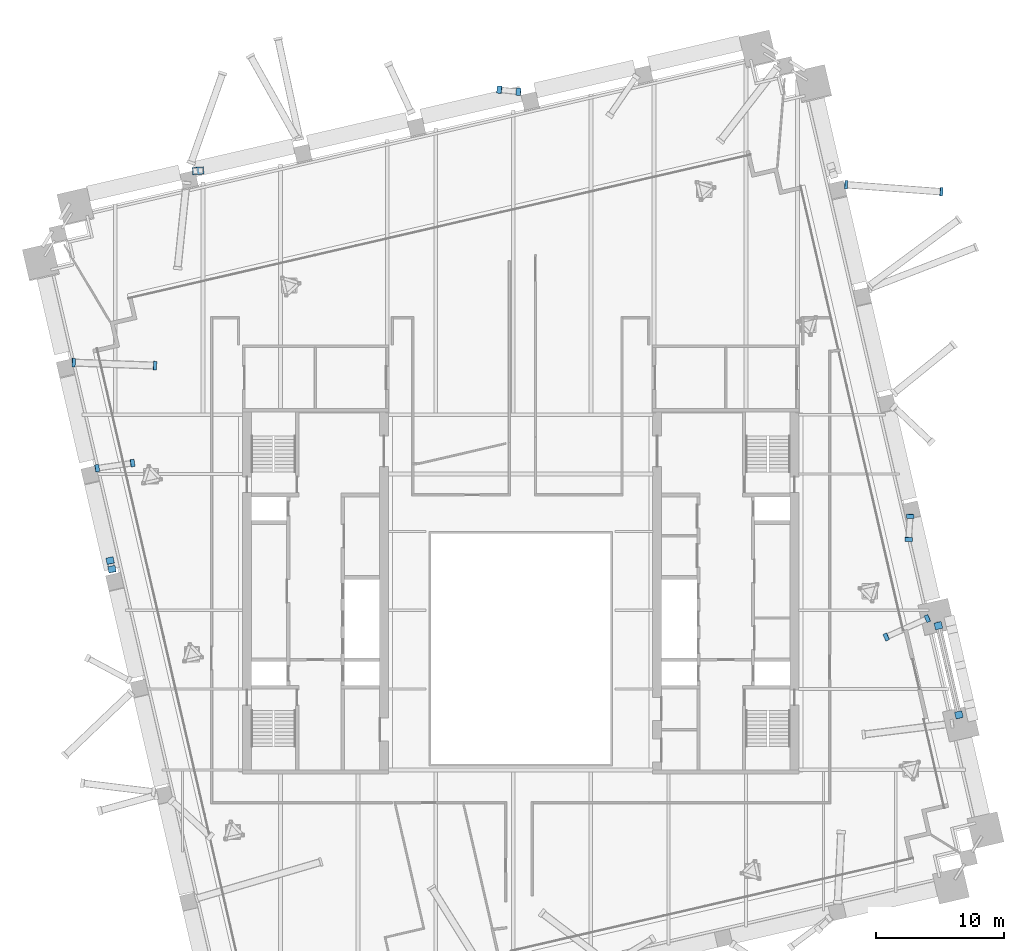
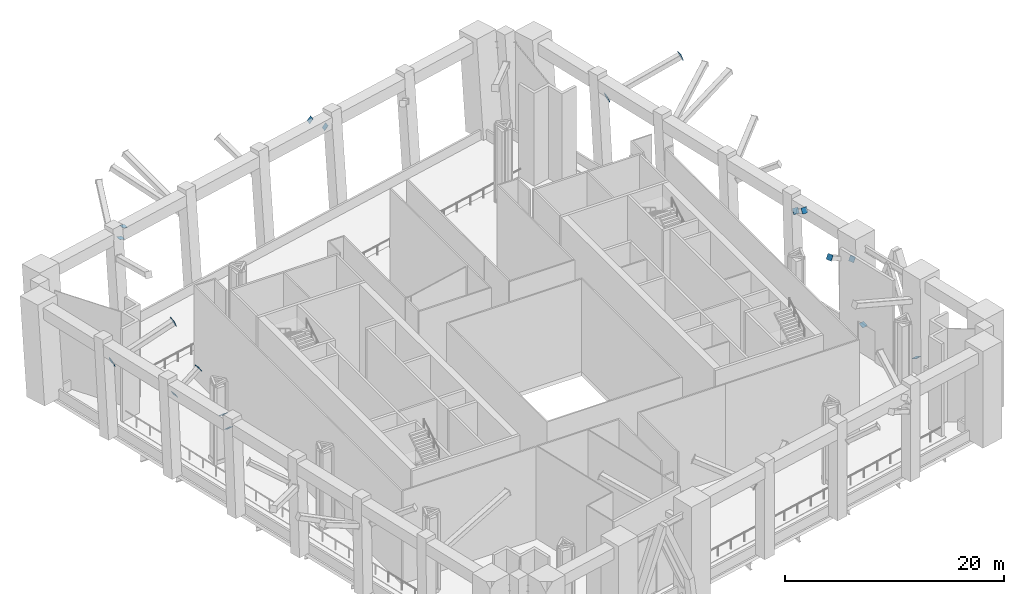
# One storey, part 23 of 25: 18 discrete accessories.
"""IFC4 building model written with IfcOpenShell, lengths in metres."""

from ifc_helpers import new_model, si_unit, direction, frame, origin, origin_2d, place, context, subcontext, project, spatial, rectangle, extrude, material, material_profile, profile_set, type_object, element, save


model = new_model("IFC4")

# Units and contexts
model_context = context("Model", 3, precision=1e-05, world=origin(), true_north=direction((0.0, 1.0)))
body_context = subcontext(model_context, "Body", "Model", "MODEL_VIEW")
ifc_project = project(units=[si_unit("LENGTHUNIT", "METRE"), si_unit("AREAUNIT", "SQUARE_METRE"), si_unit("VOLUMEUNIT", "CUBIC_METRE"), si_unit("PLANEANGLEUNIT", "RADIAN"), si_unit("MASSUNIT", "GRAM", prefix="KILO")], contexts=[model_context])

# Site, building, storey
site_placement = place(None, origin())
site = spatial("IfcSite", under=ifc_project, at=site_placement, CompositionType="ELEMENT")
building_placement = place(site_placement, origin())
building = spatial("IfcBuilding", under=site, at=building_placement, Name="Ogive Exchange Tower", CompositionType="ELEMENT")
storey_placement = place(building_placement, frame((0.0, 0.0, 226.199951171875)))
storey = spatial("IfcBuildingStorey", under=building, at=storey_placement, Name="L50", CompositionType="ELEMENT", Elevation=226.199951171875)

# Discrete accessories
ifc_material = material(Name="Steel ASTM A572 Gr50", Category="steel")
ifc_material_profile_1 = material_profile(ifc_material, rectangle(XDim=0.576904296875, YDim=0.576904296875, at=origin_2d()), Name="PL 577 x 577 x 25")
ifc_profile_set_1 = profile_set([ifc_material_profile_1], Name="Steel ASTM A572 Gr50")
discrete_accessory_type_1 = type_object("IfcDiscreteAccessoryType", Name="Gusset plate 577 x 577 x 25", PredefinedType="USERDEFINED", material=ifc_profile_set_1)
discrete_accessory_1_placement = place(storey_placement, frame((34.17333984375, 1.84228515625, 0.66796875), z_axis=(-0.087304608495, 0.378319970147, 0.921548645229), x_axis=(-0.974391195695, -0.224859506699, 0.0)))
element("IfcDiscreteAccessory", 1, at=discrete_accessory_1_placement, inside=storey, type_object=discrete_accessory_type_1, Name="Belt truss diagonal 10a end plate A", ObjectType="GUSSET PLATE", PredefinedType="USERDEFINED", context=body_context, shape_type="SweptSolid", body=[
    extrude(rectangle(XDim=0.576904296875, YDim=0.576904296875, at=origin_2d()), origin(), (0.0, 0.0, 1.0), 0.025146484375),
])
for number, where, z_axis, x_axis, name in (
    (2, (32.564697265625, 8.8095703125, 0.66796875), (0.087935754374, -0.361513656872, 0.928210740617), (0.971667603162, 0.236351579148, 0.0), "Belt truss diagonal 10b end plate A"),
    (3, (31.7265625, 9.3662109375, 7.963134765625), (-0.776677732906, -0.353929093476, 0.521062276507), (0.414670598092, -0.909971590259, 0.0), "Block-change strut 11 end plate A"),
    (4, (28.519287109375, 7.926513671875, 10.142578125), (-0.772692356291, -0.352112972487, 0.528169458731), (0.414670598092, -0.909971590259, 0.0), "Block-change strut 11 end plate B"),
):
    element("IfcDiscreteAccessory", number, at=place(storey_placement, frame(where, z_axis=z_axis, x_axis=x_axis)), inside=storey, type_object=discrete_accessory_type_1, Name=name, ObjectType="GUSSET PLATE", PredefinedType="USERDEFINED", context=body_context, shape_type="SweptSolid", body=[
        extrude(rectangle(XDim=0.576904296875, YDim=0.576904296875, at=origin_2d()), origin(), (0.0, 0.0, 1.0), 0.02490234375),
    ])
discrete_accessory_2_placement = place(storey_placement, frame((30.373291015625, 17.34619140625, 8.958740234375), z_axis=(-0.048404729179, -0.832561341886, 0.551813912646), x_axis=(0.998314169879, -0.058041521505, 0.0)))
element("IfcDiscreteAccessory", 5, at=discrete_accessory_2_placement, inside=storey, type_object=discrete_accessory_type_1, Name="Block-change strut 12 end plate A", ObjectType="GUSSET PLATE", PredefinedType="USERDEFINED", context=body_context, shape_type="SweptSolid", body=[
    extrude(rectangle(XDim=0.576904296875, YDim=0.576904296875, at=origin_2d()), origin(), (0.0, 0.0, 1.0), 0.025146484375),
])
for number, where, z_axis, x_axis, name in (
    (6, (30.255859375, 15.53857421875, 10.145263671875), (-0.049062067451, -0.834055146663, 0.549495155449), (0.998274373175, -0.058722021951, 0.0), "Block-change strut 12 end plate B"),
    (7, (-0.158935546875, 50.43408203125, 8.970703125), (-0.782585580871, 0.088040877848, 0.616286144936), (-0.111794773068, -0.993731316159, 0.0), "Block-change strut 20 end plate A"),
):
    element("IfcDiscreteAccessory", number, at=place(storey_placement, frame(where, z_axis=z_axis, x_axis=x_axis)), inside=storey, type_object=discrete_accessory_type_1, Name=name, ObjectType="GUSSET PLATE", PredefinedType="USERDEFINED", context=body_context, shape_type="SweptSolid", body=[
        extrude(rectangle(XDim=0.576904296875, YDim=0.576904296875, at=origin_2d()), origin(), (0.0, 0.0, 1.0), 0.02490234375),
    ])
discrete_accessory_3_placement = place(storey_placement, frame((-1.652587890625, 50.5966796875, 10.155029296875), z_axis=(-0.777873067063, 0.087510720045, 0.62229845365), x_axis=(-0.111794773068, -0.993731316159, 0.0)))
element("IfcDiscreteAccessory", 8, at=discrete_accessory_3_placement, inside=storey, type_object=discrete_accessory_type_1, Name="Block-change strut 20 end plate B", ObjectType="GUSSET PLATE", PredefinedType="USERDEFINED", context=body_context, shape_type="SweptSolid", body=[
    extrude(rectangle(XDim=0.576904296875, YDim=0.576904296875, at=origin_2d()), origin(), (0.0, 0.0, 1.0), 0.025146484375),
])
discrete_accessory_4_placement = place(storey_placement, frame((-25.3125, 44.2626953125, 9.0908203125), z_axis=(0.25638482356, 0.019721909505, 0.966373565726), x_axis=(-0.076696498885, 0.997054485502, 0.0)))
element("IfcDiscreteAccessory", 9, at=discrete_accessory_4_placement, inside=storey, type_object=discrete_accessory_type_1, Name="Block-change strut 24 end plate A", ObjectType="GUSSET PLATE", PredefinedType="USERDEFINED", context=body_context, shape_type="SweptSolid", body=[
    extrude(rectangle(XDim=0.576904296875, YDim=0.576904296875, at=origin_2d()), origin(), (0.0, 0.0, 1.0), 0.024658203125),
])
discrete_accessory_5_placement = place(storey_placement, frame((-24.997314453125, 44.281982421875, 10.2666015625), z_axis=(0.26306744521, 0.019486477423, 0.964580632435), x_axis=(-0.073871685515, 0.997267754457, 0.0)))
element("IfcDiscreteAccessory", 10, at=discrete_accessory_5_placement, inside=storey, type_object=discrete_accessory_type_1, Name="Block-change strut 24 end plate B", ObjectType="GUSSET PLATE", PredefinedType="USERDEFINED", context=body_context, shape_type="SweptSolid", body=[
    extrude(rectangle(XDim=0.576904296875, YDim=0.576904296875, at=origin_2d()), origin(), (0.0, 0.0, 1.0), 0.025146484375),
])
for number, where, z_axis, x_axis, name in (
    (11, (-33.031005859375, 21.07861328125, 8.416259765625), (0.840034438029, 0.126981949935, 0.527463484344), (-0.149464786508, 0.988767049205, 0.0), "Block-change strut 27 end plate A"),
    (12, (-30.275634765625, 21.479248046875, 10.142578125), (0.841038087743, 0.117354151778, 0.528093683001), (-0.138196031911, 0.990404895365, 0.0), "Block-change strut 27 end plate B"),
):
    element("IfcDiscreteAccessory", number, at=place(storey_placement, frame(where, z_axis=z_axis, x_axis=x_axis)), inside=storey, type_object=discrete_accessory_type_1, Name=name, ObjectType="GUSSET PLATE", PredefinedType="USERDEFINED", context=body_context, shape_type="SweptSolid", body=[
        extrude(rectangle(XDim=0.576904296875, YDim=0.576904296875, at=origin_2d()), origin(), (0.0, 0.0, 1.0), 0.02490234375),
    ])
for number, where, z_axis, x_axis, name in (
    (13, (-31.86474609375, 13.203857421875, 9.03564453125), (-0.097027949045, 0.494842540129, 0.8635487465), (-0.981313749677, -0.192414460721, 0.0), "Block-change strut 28 end plate A"),
    (14, (-32.006591796875, 13.869873046875, 10.214111328125), (-0.107134951963, 0.486977054377, 0.86681915679), (-0.976644466705, -0.214861782675, 0.0), "Block-change strut 28 end plate B"),
):
    element("IfcDiscreteAccessory", number, at=place(storey_placement, frame(where, z_axis=z_axis, x_axis=x_axis)), inside=storey, type_object=discrete_accessory_type_1, Name=name, ObjectType="GUSSET PLATE", PredefinedType="USERDEFINED", context=body_context, shape_type="SweptSolid", body=[
        extrude(rectangle(XDim=0.576904296875, YDim=0.576904296875, at=origin_2d()), origin(), (0.0, 0.0, 1.0), 0.025146484375),
    ])
ifc_material_profile_2 = material_profile(ifc_material, rectangle(XDim=0.678955078125, YDim=0.678955078125, at=origin_2d()), Name="PL 679 x 679 x 25")
ifc_profile_set_2 = profile_set([ifc_material_profile_2], Name="Steel ASTM A572 Gr50")
discrete_accessory_type_2 = type_object("IfcDiscreteAccessoryType", Name="Gusset plate 679 x 679 x 25", PredefinedType="USERDEFINED", material=ifc_profile_set_2)
for number, where, z_axis, x_axis, name in (
    (15, (25.364013671875, 43.18798828125, 7.683837890625), (0.947435506673, -0.068371634502, 0.312556043439), (0.071977769647, 0.997406236534, 0.0), "Block-change strut 16 end plate A"),
    (16, (32.796875, 42.63720703125, 10.076171875), (0.947435506673, -0.068371634502, 0.312556043439), (0.071977769647, 0.997406236534, 0.0), "Block-change strut 16 end plate B"),
):
    element("IfcDiscreteAccessory", number, at=place(storey_placement, frame(where, z_axis=z_axis, x_axis=x_axis)), inside=storey, type_object=discrete_accessory_type_2, Name=name, ObjectType="GUSSET PLATE", PredefinedType="USERDEFINED", context=body_context, shape_type="SweptSolid", body=[
        extrude(rectangle(XDim=0.678955078125, YDim=0.678955078125, at=origin_2d()), origin(), (0.0, 0.0, 1.0), 0.02490234375),
    ])
discrete_accessory_6_placement = place(storey_placement, frame((-34.865966796875, 29.31494140625, 7.6884765625), z_axis=(0.935928608919, -0.029247769029, 0.350973228344), x_axis=(0.031234752378, 0.999512076087, 0.0)))
element("IfcDiscreteAccessory", 17, at=discrete_accessory_6_placement, inside=storey, type_object=discrete_accessory_type_2, Name="Block-change strut 26 end plate A", ObjectType="GUSSET PLATE", PredefinedType="USERDEFINED", context=body_context, shape_type="SweptSolid", body=[
    extrude(rectangle(XDim=0.678955078125, YDim=0.678955078125, at=origin_2d()), origin(), (0.0, 0.0, 1.0), 0.025146484375),
])
discrete_accessory_7_placement = place(storey_placement, frame((-28.523193359375, 29.083251953125, 10.07958984375), z_axis=(0.934386052525, -0.039342570633, 0.354083135694), x_axis=(0.042067989486, 0.999114750297, 0.0)))
element("IfcDiscreteAccessory", 18, at=discrete_accessory_7_placement, inside=storey, type_object=discrete_accessory_type_2, Name="Block-change strut 26 end plate B", ObjectType="GUSSET PLATE", PredefinedType="USERDEFINED", context=body_context, shape_type="SweptSolid", body=[
    extrude(rectangle(XDim=0.678955078125, YDim=0.678955078125, at=origin_2d()), origin(), (0.0, 0.0, 1.0), 0.02490234375),
])

save(model, "model.ifc")
